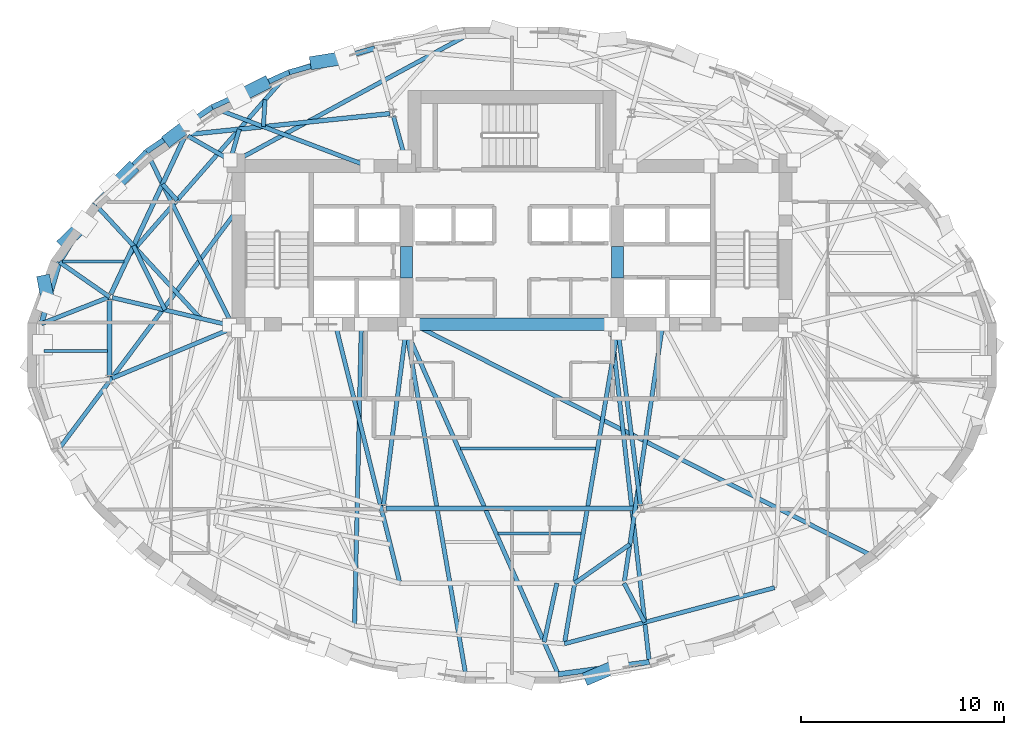
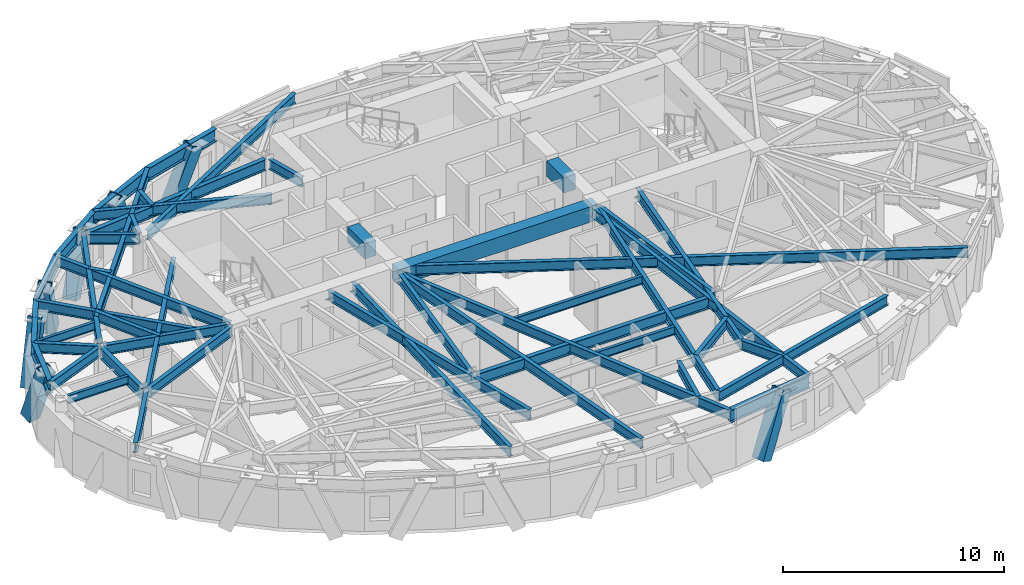
# One storey, part 2 of 12: 48 beams, 7 members.
"""IFC4 building model written with IfcOpenShell, lengths in metres."""

from ifc_helpers import new_model, si_unit, direction, frame, origin, origin_2d, place, context, subcontext, project, spatial, rectangle, hollow_rectangle, i_section, extrude, material, material_profile, profile_set, type_object, element, save


model = new_model("IFC4")

# Units and contexts
model_context = context("Model", 3, precision=1e-05, world=origin(), true_north=direction((0.0, 1.0)))
body_context = subcontext(model_context, "Body", "Model", "MODEL_VIEW")
ifc_project = project(units=[si_unit("LENGTHUNIT", "METRE"), si_unit("AREAUNIT", "SQUARE_METRE"), si_unit("VOLUMEUNIT", "CUBIC_METRE"), si_unit("PLANEANGLEUNIT", "RADIAN"), si_unit("MASSUNIT", "GRAM", prefix="KILO")], contexts=[model_context])

# Site, building, storey
site_placement = place(None, origin())
site = spatial("IfcSite", under=ifc_project, at=site_placement, CompositionType="ELEMENT")
building_placement = place(site_placement, origin())
building = spatial("IfcBuilding", under=site, at=building_placement, Name="Keldmark Tower", CompositionType="ELEMENT")
storey_placement = place(building_placement, frame((0.0, 0.0, 198.199951171875)))
storey = spatial("IfcBuildingStorey", under=building, at=storey_placement, Name="L55", CompositionType="ELEMENT", Elevation=198.199951171875)

# Beams
ifc_material_1 = material(Name="Steel ASTM A992 Grade 50", Category="steel")
ifc_material_profile_1 = material_profile(ifc_material_1, i_section(OverallWidth=0.153076171875, OverallDepth=0.455078125, WebThickness=0.008056640625, FlangeThickness=0.01318359375, at=origin_2d()), Name="W18X40")
ifc_profile_set_1 = profile_set([ifc_material_profile_1], Name="Steel ASTM A992 Grade 50")
beam_type_1 = type_object("IfcBeamType", Name="Composite Floor Joist W18X40", PredefinedType="JOIST", material=ifc_profile_set_1)
beam_1_placement = place(storey_placement, frame((-0.681396484375, -8.780029296875, 2.732666015625), z_axis=(1.0, 0.0, 0.0), x_axis=(0.0, 1.0, 0.0)))
element("IfcBeam", 1, at=beam_1_placement, inside=storey, type_object=beam_type_1, Name="L55 Composite Floor Joist J02", PredefinedType="JOIST", context=body_context, shape_type="SweptSolid", body=[
    extrude(i_section(OverallWidth=0.153076171875, OverallDepth=0.455078125, WebThickness=0.008056640625, FlangeThickness=0.01318359375, at=origin_2d()), origin(), (0.0, 0.0, 1.0), 4.09033203125),
])
beam_2_placement = place(storey_placement, frame((-2.52978515625, -4.60009765625, 2.732666015625), z_axis=(1.0, 0.0, 0.0), x_axis=(0.0, 1.0, 0.0)))
element("IfcBeam", 2, at=beam_2_placement, inside=storey, type_object=beam_type_1, Name="L55 Composite Floor Joist J05", PredefinedType="JOIST", context=body_context, shape_type="SweptSolid", body=[
    extrude(i_section(OverallWidth=0.153076171875, OverallDepth=0.455078125, WebThickness=0.008056640625, FlangeThickness=0.01318359375, at=origin_2d()), origin(), (0.0, 0.0, 1.0), 6.648193359375),
])
beam_3_placement = place(storey_placement, frame((-23.06884765625, 0.199951171875, 2.732666015625), z_axis=(1.0, 0.0, 0.0), x_axis=(0.0, 1.0, 0.0)))
element("IfcBeam", 3, at=beam_3_placement, inside=storey, type_object=beam_type_1, Name="L55 Composite Floor Joist J07", PredefinedType="JOIST", context=body_context, shape_type="SweptSolid", body=[
    extrude(i_section(OverallWidth=0.153076171875, OverallDepth=0.455078125, WebThickness=0.008056640625, FlangeThickness=0.01318359375, at=origin_2d()), origin(), (0.0, 0.0, 1.0), 3.135009765625),
])
beam_4_placement = place(storey_placement, frame((-22.135986328125, 4.6201171875, 2.732666015625), z_axis=(1.0, 0.0, 0.0), x_axis=(0.0, 1.0, 0.0)))
element("IfcBeam", 4, at=beam_4_placement, inside=storey, type_object=beam_type_1, Name="L55 Composite Floor Joist J09", PredefinedType="JOIST", context=body_context, shape_type="SweptSolid", body=[
    extrude(i_section(OverallWidth=0.153076171875, OverallDepth=0.455078125, WebThickness=0.008056640625, FlangeThickness=0.01318359375, at=origin_2d()), origin(), (0.0, 0.0, 1.0), 3.011474609375),
])
ifc_material_2 = material(Name="Concrete C50/60", Category="concrete")
ifc_material_profile_2 = material_profile(ifc_material_2, rectangle(XDim=0.60009765625, YDim=0.85009765625, at=origin_2d()), Name="RCB600X850")
ifc_profile_set_2 = profile_set([ifc_material_profile_2], Name="Concrete C50/60")
beam_type_2 = type_object("IfcBeamType", Name="Core Coupling Beam RCB600X850", PredefinedType="USERDEFINED", material=ifc_profile_set_2)
for number, where, z_axis, x_axis, name in (
    (5, (-5.199951171875, 3.800048828125, 2.53515625), (0.0, 1.0, 0.0), (-1.0, 0.0, 0.0), "L55 West Core Coupling Beam"),
    (6, (5.199951171875, 3.800048828125, 2.53515625), (0.0, 1.0, 0.0), (-1.0, 0.0, 0.0), "L55 East Core Coupling Beam"),
):
    element("IfcBeam", number, at=place(storey_placement, frame(where, z_axis=z_axis, x_axis=x_axis)), inside=storey, type_object=beam_type_2, Name=name, ObjectType="COUPLING BEAM", PredefinedType="USERDEFINED", context=body_context, shape_type="SweptSolid", body=[
        extrude(rectangle(XDim=0.60009765625, YDim=0.85009765625, at=origin_2d()), origin(), (0.0, 0.0, 1.0), 1.550048828125),
    ])
beam_5_placement = place(storey_placement, frame((-5.199951171875, 1.52490234375, 2.53515625), z_axis=(1.0, 0.0, 0.0), x_axis=(0.0, 1.0, 0.0)))
element("IfcBeam", 7, at=beam_5_placement, inside=storey, type_object=beam_type_2, Name="L55 Central South Core Coupling Beam", ObjectType="COUPLING BEAM", PredefinedType="USERDEFINED", context=body_context, shape_type="SweptSolid", body=[
    extrude(rectangle(XDim=0.60009765625, YDim=0.85009765625, at=origin_2d()), origin(), (0.0, 0.0, 1.0), 10.39990234375),
])

# Members
ifc_material_3 = material(Name="Steel ASTM A572 Grade 50", Category="steel")
ifc_material_profile_3 = material_profile(ifc_material_3, hollow_rectangle(XDim=0.64990234375, YDim=0.64990234375, WallThickness=0.0400390625, at=origin_2d()), Name="BOX650X650X40")
ifc_profile_set_3 = profile_set([ifc_material_profile_3], Name="Steel ASTM A572 Grade 50")
member_type = type_object("IfcMemberType", Name="Diagrid Zone 3 Brace BOX650X650X40", PredefinedType="BRACE", material=ifc_profile_set_3)
member_1_placement = place(storey_placement, frame((-9.650634765625, 14.426513671875, -0.260009765625), z_axis=(0.433973187731, 0.069746954051, 0.898221929554), x_axis=(-0.158680896845, 0.987329921038, 0.0)))
element("IfcMember", 8, at=member_1_placement, inside=storey, type_object=member_type, Name="L55 Perimeter Diagrid Brace 05B", PredefinedType="BRACE", context=body_context, shape_type="SweptSolid", body=[
    extrude(hollow_rectangle(XDim=0.64990234375, YDim=0.64990234375, WallThickness=0.0400390625, at=origin_2d()), origin(), (0.0, 0.0, 1.0), 3.451416015625),
])
member_2_placement = place(storey_placement, frame((-12.252197265625, 13.351806640625, -0.260009765625), z_axis=(-0.363876973738, -0.181938486869, 0.913505301013), x_axis=(0.4472135955, -0.894427191, 0.0)))
element("IfcMember", 9, at=member_2_placement, inside=storey, type_object=member_type, Name="L55 Perimeter Diagrid Brace 06A", PredefinedType="BRACE", context=body_context, shape_type="SweptSolid", body=[
    extrude(hollow_rectangle(XDim=0.64990234375, YDim=0.64990234375, WallThickness=0.0400390625, at=origin_2d()), origin(), (0.0, 0.0, 1.0), 3.3935546875),
])
member_3_placement = place(storey_placement, frame((-16.83837890625, 10.66796875, -0.260009765625), z_axis=(0.303816336253, 0.22939152905, 0.924702741548), x_axis=(-0.602567857834, 0.798067651709, 0.0)))
element("IfcMember", 10, at=member_3_placement, inside=storey, type_object=member_type, Name="L55 Perimeter Diagrid Brace 06B", PredefinedType="BRACE", context=body_context, shape_type="SweptSolid", body=[
    extrude(hollow_rectangle(XDim=0.64990234375, YDim=0.64990234375, WallThickness=0.0400390625, at=origin_2d()), origin(), (0.0, 0.0, 1.0), 3.3525390625),
])
member_4_placement = place(storey_placement, frame((-18.814208984375, 9.118408203125, -0.260009765625), z_axis=(-0.253466868782, -0.255817865826, 0.932905014433), x_axis=(0.710363409805, -0.703835084384, 0.0)))
element("IfcMember", 11, at=member_4_placement, inside=storey, type_object=member_type, Name="L55 Perimeter Diagrid Brace 07A", PredefinedType="BRACE", context=body_context, shape_type="SweptSolid", body=[
    extrude(hollow_rectangle(XDim=0.64990234375, YDim=0.64990234375, WallThickness=0.0400390625, at=origin_2d()), origin(), (0.0, 0.0, 1.0), 3.322998046875),
])
member_5_placement = place(storey_placement, frame((-21.99169921875, 5.5859375, -0.260009765625), z_axis=(0.27261124795, 0.262698111661, 0.925566210285), x_axis=(-0.693893241041, 0.720077891646, 0.0)))
element("IfcMember", 12, at=member_5_placement, inside=storey, type_object=member_type, Name="L55 Perimeter Diagrid Brace 07B", PredefinedType="BRACE", context=body_context, shape_type="SweptSolid", body=[
    extrude(hollow_rectangle(XDim=0.64990234375, YDim=0.64990234375, WallThickness=0.0400390625, at=origin_2d()), origin(), (0.0, 0.0, 1.0), 3.349365234375),
])
member_6_placement = place(storey_placement, frame((-23.047607421875, 3.629638671875, -0.260009765625), z_axis=(0.065046149954, -0.329829223315, 0.941797049169), x_axis=(0.981103244561, 0.19348494389, 0.0)))
element("IfcMember", 13, at=member_6_placement, inside=storey, type_object=member_type, Name="L55 Perimeter Diagrid Brace 08A", PredefinedType="BRACE", context=body_context, shape_type="SweptSolid", body=[
    extrude(hollow_rectangle(XDim=0.64990234375, YDim=0.64990234375, WallThickness=0.0400390625, at=origin_2d()), origin(), (0.0, 0.0, 1.0), 3.291748046875),
])
member_7_placement = place(storey_placement, frame((3.85888671875, -15.862060546875, -0.260009765625), z_axis=(0.406640557297, 0.173759904629, 0.896911897961), x_axis=(-0.392935907268, 0.919565861034, 0.0)))
element("IfcMember", 14, at=member_7_placement, inside=storey, type_object=member_type, Name="L55 Perimeter Diagrid Brace 13A", PredefinedType="BRACE", context=body_context, shape_type="SweptSolid", body=[
    extrude(hollow_rectangle(XDim=0.64990234375, YDim=0.64990234375, WallThickness=0.0400390625, at=origin_2d()), origin(), (0.0, 0.0, 1.0), 3.456298828125),
])

# Beams
ifc_material_4 = material(Name="Steel ASTM A992 Grade 50", Category="steel")
ifc_material_profile_4 = material_profile(ifc_material_4, i_section(OverallWidth=0.22900390625, OverallDepth=0.612060546875, WebThickness=0.011962890625, FlangeThickness=0.01953125, at=origin_2d()), Name="W24X84")
ifc_profile_set_4 = profile_set([ifc_material_profile_4], Name="Steel ASTM A992 Grade 50")
beam_type_3 = type_object("IfcBeamType", Name="Primary Floor Girder W24X84", PredefinedType="BEAM", material=ifc_profile_set_4)
beam_6_placement = place(storey_placement, frame((-6.01953125, 11.90087890625, 2.654052734375), z_axis=(-0.994702930931, -0.102791435423, 0.0), x_axis=(0.102791435423, -0.994702930931, 0.0)))
element("IfcBeam", 15, at=beam_6_placement, inside=storey, type_object=beam_type_3, Name="L55 Floor Ring Girder FG-R04", PredefinedType="BEAM", context=body_context, shape_type="SweptSolid", body=[
    extrude(i_section(OverallWidth=0.22900390625, OverallDepth=0.612060546875, WebThickness=0.011962890625, FlangeThickness=0.01953125, at=origin_2d()), origin(), (0.0, 0.0, 1.0), 9.975341796875),
])
beam_7_placement = place(storey_placement, frame((-16.140869140625, 10.734130859375, 2.654052734375), z_axis=(-0.424526823774, -0.905415360979, 0.0), x_axis=(0.905415360979, -0.424526823774, 0.0)))
element("IfcBeam", 16, at=beam_7_placement, inside=storey, type_object=beam_type_3, Name="L55 Floor Ring Girder FG-R05", PredefinedType="BEAM", context=body_context, shape_type="SweptSolid", body=[
    extrude(i_section(OverallWidth=0.22900390625, OverallDepth=0.612060546875, WebThickness=0.011962890625, FlangeThickness=0.01953125, at=origin_2d()), origin(), (0.0, 0.0, 1.0), 8.54638671875),
])
beam_8_placement = place(storey_placement, frame((-19.828369140625, 2.729248046875, 2.654052734375), z_axis=(0.0, -1.0, 0.0), x_axis=(1.0, 0.0, 0.0)))
element("IfcBeam", 17, at=beam_8_placement, inside=storey, type_object=beam_type_3, Name="L55 Floor Ring Girder FG-R06", PredefinedType="BEAM", context=body_context, shape_type="SweptSolid", body=[
    extrude(i_section(OverallWidth=0.22900390625, OverallDepth=0.612060546875, WebThickness=0.011962890625, FlangeThickness=0.01953125, at=origin_2d()), origin(), (0.0, 0.0, 1.0), 3.778564453125),
])
beam_9_placement = place(storey_placement, frame((-6.211181640625, -7.546142578125, 2.654052734375), z_axis=(1.0, 0.0, 0.0), x_axis=(0.0, 1.0, 0.0)))
element("IfcBeam", 18, at=beam_9_placement, inside=storey, type_object=beam_type_3, Name="L55 Floor Ring Girder FG-R09", PredefinedType="BEAM", context=body_context, shape_type="SweptSolid", body=[
    extrude(i_section(OverallWidth=0.22900390625, OverallDepth=0.612060546875, WebThickness=0.011962890625, FlangeThickness=0.01953125, at=origin_2d()), origin(), (0.0, 0.0, 1.0), 12.42236328125),
])
ifc_material_5 = material(Name="Steel ASTM A992 Grade 50", Category="steel")
ifc_material_profile_5 = material_profile(ifc_material_5, i_section(OverallWidth=0.2099609375, OverallDepth=0.537109375, WebThickness=0.010986328125, FlangeThickness=0.017333984375, at=origin_2d()), Name="W21X68")
ifc_profile_set_5 = profile_set([ifc_material_profile_5], Name="Steel ASTM A992 Grade 50")
beam_type_4 = type_object("IfcBeamType", Name="Radial Tie Girder W21X68", PredefinedType="BEAM", material=ifc_profile_set_5)
beam_10_placement = place(storey_placement, frame((-5.843017578125, 11.7802734375, 2.691650390625), z_axis=(0.265992411, -0.963975122755, 0.0), x_axis=(0.963975122755, 0.265992411, 0.0)))
element("IfcBeam", 19, at=beam_10_placement, inside=storey, type_object=beam_type_4, Name="L55 Floor Radial Girder FG-C04", PredefinedType="BEAM", context=body_context, shape_type="SweptSolid", body=[
    extrude(i_section(OverallWidth=0.2099609375, OverallDepth=0.537109375, WebThickness=0.010986328125, FlangeThickness=0.017333984375, at=origin_2d()), origin(), (0.0, 0.0, 1.0), 2.09716796875),
])
beam_11_placement = place(storey_placement, frame((-15.959716796875, 10.791748046875, 2.691650390625), z_axis=(0.86929527307, -0.494293160197, 0.0), x_axis=(0.494293160197, 0.86929527307, 0.0)))
element("IfcBeam", 20, at=beam_11_placement, inside=storey, type_object=beam_type_4, Name="L55 Floor Radial Girder FG-C05", PredefinedType="BEAM", context=body_context, shape_type="SweptSolid", body=[
    extrude(i_section(OverallWidth=0.2099609375, OverallDepth=0.537109375, WebThickness=0.010986328125, FlangeThickness=0.017333984375, at=origin_2d()), origin(), (0.0, 0.0, 1.0), 2.39453125),
])
beam_12_placement = place(storey_placement, frame((-19.692138671875, 2.837158203125, 2.691650390625), z_axis=(0.973280062348, -0.229621253887, 0.0), x_axis=(0.229621253887, 0.973280062348, 0.0)))
element("IfcBeam", 21, at=beam_12_placement, inside=storey, type_object=beam_type_4, Name="L55 Floor Radial Girder FG-C06", PredefinedType="BEAM", context=body_context, shape_type="SweptSolid", body=[
    extrude(i_section(OverallWidth=0.2099609375, OverallDepth=0.537109375, WebThickness=0.010986328125, FlangeThickness=0.017333984375, at=origin_2d()), origin(), (0.0, 0.0, 1.0), 5.939208984375),
])
beam_13_placement = place(storey_placement, frame((-19.69921875, -1.135498046875, 2.691650390625), z_axis=(0.923393794893, 0.383854008124, 0.0), x_axis=(-0.383854008124, 0.923393794893, 0.0)))
element("IfcBeam", 22, at=beam_13_placement, inside=storey, type_object=beam_type_4, Name="L55 Floor Radial Girder FG-C07", PredefinedType="BEAM", context=body_context, shape_type="SweptSolid", body=[
    extrude(i_section(OverallWidth=0.2099609375, OverallDepth=0.537109375, WebThickness=0.010986328125, FlangeThickness=0.017333984375, at=origin_2d()), origin(), (0.0, 0.0, 1.0), 6.28515625),
])
for number, where, z_axis, x_axis, name in (
    (23, (-6.333251953125, -7.4072265625, 2.691650390625), (0.127635577416, 0.991821132754, 0.0), (-0.991821132754, 0.127635577416, 0.0), "L55 Floor Radial Girder FG-C09"),
    (24, (6.333251953125, -7.4072265625, 2.691650390625), (-0.127635577416, 0.991821132754, 0.0), (-0.991821132754, -0.127635577416, 0.0), "L55 Floor Radial Girder FG-C10"),
):
    element("IfcBeam", number, at=place(storey_placement, frame(where, z_axis=z_axis, x_axis=x_axis)), inside=storey, type_object=beam_type_4, Name=name, PredefinedType="BEAM", context=body_context, shape_type="SweptSolid", body=[
        extrude(i_section(OverallWidth=0.2099609375, OverallDepth=0.537109375, WebThickness=0.010986328125, FlangeThickness=0.017333984375, at=origin_2d()), origin(), (0.0, 0.0, 1.0), 8.559814453125),
    ])
beam_14_placement = place(storey_placement, frame((-8.699951171875, 1.52490234375, 2.691650390625), z_axis=(0.24159651777, -0.970376794138, 0.0), x_axis=(0.970376794138, 0.24159651777, 0.0)))
element("IfcBeam", 25, at=beam_14_placement, inside=storey, type_object=beam_type_4, Name="L55 Sub-Ring Step Girder STP1-M09", PredefinedType="BEAM", context=body_context, shape_type="SweptSolid", body=[
    extrude(i_section(OverallWidth=0.2099609375, OverallDepth=0.537109375, WebThickness=0.010986328125, FlangeThickness=0.017333984375, at=origin_2d()), origin(), (0.0, 0.0, 1.0), 13.153076171875),
])
beam_15_placement = place(storey_placement, frame((7.425048828125, 1.52490234375, 2.691650390625), z_axis=(-0.14745503768, -0.989068759927, 0.0), x_axis=(0.989068759927, -0.14745503768, 0.0)))
element("IfcBeam", 26, at=beam_15_placement, inside=storey, type_object=beam_type_4, Name="L55 Sub-Ring Step Girder STP1-M10", PredefinedType="BEAM", context=body_context, shape_type="SweptSolid", body=[
    extrude(i_section(OverallWidth=0.2099609375, OverallDepth=0.537109375, WebThickness=0.010986328125, FlangeThickness=0.017333984375, at=origin_2d()), origin(), (0.0, 0.0, 1.0), 12.904541015625),
])
beam_16_placement = place(storey_placement, frame((-7.425048828125, 1.52490234375, 2.691650390625), z_axis=(-0.022521027794, -0.999746369489, 0.0), x_axis=(0.999746369489, -0.022521027794, 0.0)))
element("IfcBeam", 27, at=beam_16_placement, inside=storey, type_object=beam_type_4, Name="L55 Sub-Ring Step Girder STP2-M09", PredefinedType="BEAM", context=body_context, shape_type="SweptSolid", body=[
    extrude(i_section(OverallWidth=0.2099609375, OverallDepth=0.537109375, WebThickness=0.010986328125, FlangeThickness=0.017333984375, at=origin_2d()), origin(), (0.0, 0.0, 1.0), 14.8623046875),
])
beam_17_placement = place(storey_placement, frame((5.8076171875, -9.32421875, 2.691650390625), z_axis=(-0.81762462652, -0.575751656627, 0.0), x_axis=(0.575751656627, -0.81762462652, 0.0)))
element("IfcBeam", 28, at=beam_17_placement, inside=storey, type_object=beam_type_4, Name="L55 Framing Pin Header PH-007", PredefinedType="BEAM", context=body_context, shape_type="SweptSolid", body=[
    extrude(i_section(OverallWidth=0.2099609375, OverallDepth=0.537109375, WebThickness=0.010986328125, FlangeThickness=0.017333984375, at=origin_2d()), origin(), (0.0, 0.0, 1.0), 3.324951171875),
])
beam_18_placement = place(storey_placement, frame((5.199951171875, 1.199951171875, 2.691650390625), z_axis=(-0.167314222464, -0.985903621538, 0.0), x_axis=(0.985903621538, -0.167314222464, 0.0)))
element("IfcBeam", 29, at=beam_18_placement, inside=storey, type_object=beam_type_4, Name="L55 Sub-Ring Step Girder STP2-M10", PredefinedType="BEAM", context=body_context, shape_type="SweptSolid", body=[
    extrude(i_section(OverallWidth=0.2099609375, OverallDepth=0.537109375, WebThickness=0.010986328125, FlangeThickness=0.017333984375, at=origin_2d()), origin(), (0.0, 0.0, 1.0), 15.640869140625),
])
beam_19_placement = place(storey_placement, frame((2.5830078125, -14.220458984375, 2.691650390625), z_axis=(0.966193705448, 0.257817228968, 0.0), x_axis=(-0.257817228968, 0.966193705448, 0.0)))
element("IfcBeam", 30, at=beam_19_placement, inside=storey, type_object=beam_type_4, Name="L55 Perimeter Collector Ring Beam CRG2-M10", PredefinedType="BEAM", context=body_context, shape_type="SweptSolid", body=[
    extrude(i_section(OverallWidth=0.2099609375, OverallDepth=0.537109375, WebThickness=0.010986328125, FlangeThickness=0.017333984375, at=origin_2d()), origin(), (0.0, 0.0, 1.0), 10.71484375),
])
beam_20_placement = place(storey_placement, frame((-13.878173828125, 9.608154296875, 2.691650390625), z_axis=(0.27974646808, 0.960073910486, 0.0), x_axis=(-0.960073910486, 0.27974646808, 0.0)))
element("IfcBeam", 31, at=beam_20_placement, inside=storey, type_object=beam_type_4, Name="L55 Framing Pin Header PH-014", PredefinedType="BEAM", context=body_context, shape_type="SweptSolid", body=[
    extrude(i_section(OverallWidth=0.2099609375, OverallDepth=0.537109375, WebThickness=0.010986328125, FlangeThickness=0.017333984375, at=origin_2d()), origin(), (0.0, 0.0, 1.0), 1.590087890625),
])
beam_21_placement = place(storey_placement, frame((-18.862060546875, 4.9306640625, 2.691650390625), z_axis=(0.658526277824, 0.752557732945, 0.0), x_axis=(-0.752557732945, 0.658526277824, 0.0)))
element("IfcBeam", 32, at=beam_21_placement, inside=storey, type_object=beam_type_4, Name="L55 Perimeter Radial Tie Girder RT-11", PredefinedType="BEAM", context=body_context, shape_type="SweptSolid", body=[
    extrude(i_section(OverallWidth=0.2099609375, OverallDepth=0.537109375, WebThickness=0.010986328125, FlangeThickness=0.017333984375, at=origin_2d()), origin(), (0.0, 0.0, 1.0), 11.964111328125),
])
beam_22_placement = place(storey_placement, frame((-12.165283203125, 12.583740234375, 2.691650390625), z_axis=(-0.064081451772, -0.997944671582, 0.0), x_axis=(0.997944671582, -0.064081451772, 0.0)))
element("IfcBeam", 33, at=beam_22_placement, inside=storey, type_object=beam_type_4, Name="L55 Framing Pin Header PH-015", PredefinedType="BEAM", context=body_context, shape_type="SweptSolid", body=[
    extrude(i_section(OverallWidth=0.2099609375, OverallDepth=0.537109375, WebThickness=0.010986328125, FlangeThickness=0.017333984375, at=origin_2d()), origin(), (0.0, 0.0, 1.0), 1.32958984375),
])
beam_23_placement = place(storey_placement, frame((-7.139404296875, 9.324951171875, 2.691650390625), z_axis=(-0.935404897609, 0.353578389512, 0.0), x_axis=(-0.353578389512, -0.935404897609, 0.0)))
element("IfcBeam", 34, at=beam_23_placement, inside=storey, type_object=beam_type_4, Name="L55 Perimeter Radial Tie Girder RT-12", PredefinedType="BEAM", context=body_context, shape_type="SweptSolid", body=[
    extrude(i_section(OverallWidth=0.2099609375, OverallDepth=0.537109375, WebThickness=0.010986328125, FlangeThickness=0.017333984375, at=origin_2d()), origin(), (0.0, 0.0, 1.0), 8.169921875),
])
beam_24_placement = place(storey_placement, frame((-16.498291015625, 7.631591796875, 2.691650390625), z_axis=(-0.671453299328, 0.741046872216, 0.0), x_axis=(-0.741046872216, -0.671453299328, 0.0)))
element("IfcBeam", 35, at=beam_24_placement, inside=storey, type_object=beam_type_4, Name="L55 Framing Pin Header PH-016", PredefinedType="BEAM", context=body_context, shape_type="SweptSolid", body=[
    extrude(i_section(OverallWidth=0.2099609375, OverallDepth=0.537109375, WebThickness=0.010986328125, FlangeThickness=0.017333984375, at=origin_2d()), origin(), (0.0, 0.0, 1.0), 1.076904296875),
])
beam_25_placement = place(storey_placement, frame((-13.800048828125, 1.52490234375, 2.691650390625), z_axis=(-0.443977627174, 0.896037871169, 0.0), x_axis=(-0.896037871169, -0.443977627174, 0.0)))
element("IfcBeam", 36, at=beam_25_placement, inside=storey, type_object=beam_type_4, Name="L55 Perimeter Radial Tie Girder RT-13", PredefinedType="BEAM", context=body_context, shape_type="SweptSolid", body=[
    extrude(i_section(OverallWidth=0.2099609375, OverallDepth=0.537109375, WebThickness=0.010986328125, FlangeThickness=0.017333984375, at=origin_2d()), origin(), (0.0, 0.0, 1.0), 9.484619140625),
])
beam_26_placement = place(storey_placement, frame((-17.0908203125, 2.223388671875, 2.691650390625), z_axis=(-0.441831522293, 0.897098046987, 0.0), x_axis=(-0.897098046987, -0.441831522293, 0.0)))
element("IfcBeam", 37, at=beam_26_placement, inside=storey, type_object=beam_type_4, Name="L55 Framing Pin Header PH-017", PredefinedType="BEAM", context=body_context, shape_type="SweptSolid", body=[
    extrude(i_section(OverallWidth=0.2099609375, OverallDepth=0.537109375, WebThickness=0.010986328125, FlangeThickness=0.017333984375, at=origin_2d()), origin(), (0.0, 0.0, 1.0), 3.525390625),
])
beam_27_placement = place(storey_placement, frame((-15.356689453125, 1.814453125, 2.691650390625), z_axis=(-0.677712100327, 0.735327348241, 0.0), x_axis=(-0.735327348241, -0.677712100327, 0.0)))
element("IfcBeam", 38, at=beam_27_placement, inside=storey, type_object=beam_type_4, Name="L55 Perimeter Radial Tie Girder RT-14", PredefinedType="BEAM", context=body_context, shape_type="SweptSolid", body=[
    extrude(i_section(OverallWidth=0.2099609375, OverallDepth=0.537109375, WebThickness=0.010986328125, FlangeThickness=0.017333984375, at=origin_2d()), origin(), (0.0, 0.0, 1.0), 7.661376953125),
])
beam_28_placement = place(storey_placement, frame((-19.828369140625, 2.869140625, 2.691650390625), z_axis=(-0.82086879222, 0.57111682339, 0.0), x_axis=(-0.57111682339, -0.82086879222, 0.0)))
element("IfcBeam", 39, at=beam_28_placement, inside=storey, type_object=beam_type_4, Name="L55 Perimeter Column Bracket RT-15", PredefinedType="BEAM", context=body_context, shape_type="SweptSolid", body=[
    extrude(i_section(OverallWidth=0.2099609375, OverallDepth=0.537109375, WebThickness=0.010986328125, FlangeThickness=0.017333984375, at=origin_2d()), origin(), (0.0, 0.0, 1.0), 3.0068359375),
])
beam_29_placement = place(storey_placement, frame((-19.828369140625, 2.869140625, 2.691650390625), z_axis=(-0.930675840423, -0.365844885236, 0.0), x_axis=(0.365844885236, -0.930675840423, 0.0)))
element("IfcBeam", 40, at=beam_29_placement, inside=storey, type_object=beam_type_4, Name="L55 Perimeter Column Bracket RT-16", PredefinedType="BEAM", context=body_context, shape_type="SweptSolid", body=[
    extrude(i_section(OverallWidth=0.2099609375, OverallDepth=0.537109375, WebThickness=0.010986328125, FlangeThickness=0.017333984375, at=origin_2d()), origin(), (0.0, 0.0, 1.0), 3.609619140625),
])
beam_30_placement = place(storey_placement, frame((-13.47509765625, 7.235595703125, 2.691650390625), z_axis=(-0.598046490454, -0.801461412206, 0.0), x_axis=(0.801461412206, -0.598046490454, 0.0)))
element("IfcBeam", 41, at=beam_30_placement, inside=storey, type_object=beam_type_4, Name="L55 Perimeter Radial Tie Girder RT-18", PredefinedType="BEAM", context=body_context, shape_type="SweptSolid", body=[
    extrude(i_section(OverallWidth=0.2099609375, OverallDepth=0.537109375, WebThickness=0.010986328125, FlangeThickness=0.017333984375, at=origin_2d()), origin(), (0.0, 0.0, 1.0), 14.75048828125),
])
beam_31_placement = place(storey_placement, frame((-5.199951171875, 1.199951171875, 2.691650390625), z_axis=(0.169814082779, -0.985476117057, 0.0), x_axis=(0.985476117057, 0.169814082779, 0.0)))
element("IfcBeam", 42, at=beam_31_placement, inside=storey, type_object=beam_type_4, Name="L55 Perimeter Radial Tie Girder RT-24", PredefinedType="BEAM", context=body_context, shape_type="SweptSolid", body=[
    extrude(i_section(OverallWidth=0.2099609375, OverallDepth=0.537109375, WebThickness=0.010986328125, FlangeThickness=0.017333984375, at=origin_2d()), origin(), (0.0, 0.0, 1.0), 17.17333984375),
])
beam_32_placement = place(storey_placement, frame((2.208984375, -11.238525390625, 2.691650390625), z_axis=(-0.211902863335, -0.977290732848, 0.0), x_axis=(0.977290732848, -0.211902863335, 0.0)))
element("IfcBeam", 43, at=beam_32_placement, inside=storey, type_object=beam_type_4, Name="L55 Framing Pin Header PH-023", PredefinedType="BEAM", context=body_context, shape_type="SweptSolid", body=[
    extrude(i_section(OverallWidth=0.2099609375, OverallDepth=0.537109375, WebThickness=0.010986328125, FlangeThickness=0.017333984375, at=origin_2d()), origin(), (0.0, 0.0, 1.0), 2.96337890625),
])
beam_33_placement = place(storey_placement, frame((-5.199951171875, 1.199951171875, 2.691650390625), z_axis=(0.404420281792, -0.914573253313, 0.0), x_axis=(0.914573253313, 0.404420281792, 0.0)))
element("IfcBeam", 44, at=beam_33_placement, inside=storey, type_object=beam_type_4, Name="L55 Perimeter Radial Tie Girder RT-25", PredefinedType="BEAM", context=body_context, shape_type="SweptSolid", body=[
    extrude(i_section(OverallWidth=0.2099609375, OverallDepth=0.537109375, WebThickness=0.010986328125, FlangeThickness=0.017333984375, at=origin_2d()), origin(), (0.0, 0.0, 1.0), 18.504638671875),
])
beam_34_placement = place(storey_placement, frame((5.522216796875, -11.238525390625, 2.691650390625), z_axis=(0.467934055278, -0.883763384573, 0.0), x_axis=(0.883763384573, 0.467934055278, 0.0)))
element("IfcBeam", 45, at=beam_34_placement, inside=storey, type_object=beam_type_4, Name="L55 Framing Pin Header PH-024", PredefinedType="BEAM", context=body_context, shape_type="SweptSolid", body=[
    extrude(i_section(OverallWidth=0.2099609375, OverallDepth=0.537109375, WebThickness=0.010986328125, FlangeThickness=0.017333984375, at=origin_2d()), origin(), (0.0, 0.0, 1.0), 2.1787109375),
])
beam_35_placement = place(storey_placement, frame((4.875, 1.52490234375, 2.691650390625), z_axis=(0.112747487913, -0.993623673213, 0.0), x_axis=(0.993623673213, 0.112747487913, 0.0)))
element("IfcBeam", 46, at=beam_35_placement, inside=storey, type_object=beam_type_4, Name="L55 Perimeter Radial Tie Girder RT-26", PredefinedType="BEAM", context=body_context, shape_type="SweptSolid", body=[
    extrude(i_section(OverallWidth=0.2099609375, OverallDepth=0.537109375, WebThickness=0.010986328125, FlangeThickness=0.017333984375, at=origin_2d()), origin(), (0.0, 0.0, 1.0), 16.75146484375),
])
beam_36_placement = place(storey_placement, frame((-4.875, 1.52490234375, 2.691650390625), z_axis=(0.892777328412, -0.450498215173, 0.0), x_axis=(0.450498215173, 0.892777328412, 0.0)))
element("IfcBeam", 47, at=beam_36_placement, inside=storey, type_object=beam_type_4, Name="L55 Perimeter Radial Tie Girder RT-29", PredefinedType="BEAM", context=body_context, shape_type="SweptSolid", body=[
    extrude(i_section(OverallWidth=0.2099609375, OverallDepth=0.537109375, WebThickness=0.010986328125, FlangeThickness=0.017333984375, at=origin_2d()), origin(), (0.0, 0.0, 1.0), 25.634521484375),
])
beam_37_placement = place(storey_placement, frame((-13.47509765625, 9.64990234375, 2.691650390625), z_axis=(0.87889821758, 0.477009353298, 0.0), x_axis=(-0.477009353298, 0.87889821758, 0.0)))
element("IfcBeam", 48, at=beam_37_placement, inside=storey, type_object=beam_type_4, Name="L55 Perimeter Radial Tie Girder RT-09R", PredefinedType="BEAM", context=body_context, shape_type="SweptSolid", body=[
    extrude(i_section(OverallWidth=0.2099609375, OverallDepth=0.537109375, WebThickness=0.010986328125, FlangeThickness=0.017333984375, at=origin_2d()), origin(), (0.0, 0.0, 1.0), 12.7333984375),
])
ifc_material_6 = material(Name="Steel ASTM A992 Grade 50", Category="steel")
ifc_material_profile_6 = material_profile(ifc_material_6, i_section(OverallWidth=0.256103515625, OverallDepth=0.693115234375, WebThickness=0.014404296875, FlangeThickness=0.023681640625, at=origin_2d()), Name="W27X114")
ifc_profile_set_6 = profile_set([ifc_material_profile_6], Name="Steel ASTM A992 Grade 50")
beam_type_5 = type_object("IfcBeamType", Name="Spandrel Ring Beam W27X114", PredefinedType="SPANDREL", material=ifc_profile_set_6)
beam_38_placement = place(storey_placement, frame((-6.763671875, 15.11962890625, 2.613525390625), z_axis=(-0.962739808547, -0.270429401209, 0.0), x_axis=(0.270429401209, -0.962739808547, 0.0)))
element("IfcBeam", 49, at=beam_38_placement, inside=storey, type_object=beam_type_5, Name="L55 Perimeter Spandrel Ring Beam SRB-10", PredefinedType="SPANDREL", context=body_context, shape_type="SweptSolid", body=[
    extrude(i_section(OverallWidth=0.256103515625, OverallDepth=0.693115234375, WebThickness=0.014404296875, FlangeThickness=0.023681640625, at=origin_2d()), origin(), (0.0, 0.0, 1.0), 4.383056640625),
])
beam_39_placement = place(storey_placement, frame((-10.9833984375, 13.934326171875, 2.613525390625), z_axis=(-0.910881102331, -0.412668895624, 0.0), x_axis=(0.412668895624, -0.910881102331, 0.0)))
element("IfcBeam", 50, at=beam_39_placement, inside=storey, type_object=beam_type_5, Name="L55 Perimeter Spandrel Ring Beam SRB-11", PredefinedType="SPANDREL", context=body_context, shape_type="SweptSolid", body=[
    extrude(i_section(OverallWidth=0.256103515625, OverallDepth=0.693115234375, WebThickness=0.014404296875, FlangeThickness=0.023681640625, at=origin_2d()), origin(), (0.0, 0.0, 1.0), 4.169677734375),
])
beam_40_placement = place(storey_placement, frame((-14.781494140625, 12.213623046875, 2.613525390625), z_axis=(-0.827625248145, -0.5612810781, 0.0), x_axis=(0.5612810781, -0.827625248145, 0.0)))
element("IfcBeam", 51, at=beam_40_placement, inside=storey, type_object=beam_type_5, Name="L55 Perimeter Spandrel Ring Beam SRB-12", PredefinedType="SPANDREL", context=body_context, shape_type="SweptSolid", body=[
    extrude(i_section(OverallWidth=0.256103515625, OverallDepth=0.693115234375, WebThickness=0.014404296875, FlangeThickness=0.023681640625, at=origin_2d()), origin(), (0.0, 0.0, 1.0), 3.902099609375),
])
beam_41_placement = place(storey_placement, frame((-18.010986328125, 10.0234375, 2.613525390625), z_axis=(-0.701888492814, -0.712286840855, 0.0), x_axis=(0.712286840855, -0.701888492814, 0.0)))
element("IfcBeam", 52, at=beam_41_placement, inside=storey, type_object=beam_type_5, Name="L55 Perimeter Spandrel Ring Beam SRB-13", PredefinedType="SPANDREL", context=body_context, shape_type="SweptSolid", body=[
    extrude(i_section(OverallWidth=0.256103515625, OverallDepth=0.693115234375, WebThickness=0.014404296875, FlangeThickness=0.023681640625, at=origin_2d()), origin(), (0.0, 0.0, 1.0), 3.61572265625),
])
beam_42_placement = place(storey_placement, frame((-20.548828125, 7.447998046875, 2.613525390625), z_axis=(-0.521246781142, -0.853405995497, 0.0), x_axis=(0.853405995497, -0.521246781142, 0.0)))
element("IfcBeam", 53, at=beam_42_placement, inside=storey, type_object=beam_type_5, Name="L55 Perimeter Spandrel Ring Beam SRB-14", PredefinedType="SPANDREL", context=body_context, shape_type="SweptSolid", body=[
    extrude(i_section(OverallWidth=0.256103515625, OverallDepth=0.693115234375, WebThickness=0.014404296875, FlangeThickness=0.023681640625, at=origin_2d()), origin(), (0.0, 0.0, 1.0), 3.35302734375),
])
beam_43_placement = place(storey_placement, frame((-22.296630859375, 4.58642578125, 2.613525390625), z_axis=(-0.281477355005, -0.959567870773, 0.0), x_axis=(0.959567870773, -0.281477355005, 0.0)))
element("IfcBeam", 54, at=beam_43_placement, inside=storey, type_object=beam_type_5, Name="L55 Perimeter Spandrel Ring Beam SRB-15", PredefinedType="SPANDREL", context=body_context, shape_type="SweptSolid", body=[
    extrude(i_section(OverallWidth=0.256103515625, OverallDepth=0.693115234375, WebThickness=0.014404296875, FlangeThickness=0.023681640625, at=origin_2d()), origin(), (0.0, 0.0, 1.0), 3.165771484375),
])
beam_44_placement = place(storey_placement, frame((2.28369140625, -15.723876953125, 2.613525390625), z_axis=(0.991026298245, 0.133667034777, 0.0), x_axis=(-0.133667034777, 0.991026298245, 0.0)))
element("IfcBeam", 55, at=beam_44_placement, inside=storey, type_object=beam_type_5, Name="L55 Perimeter Spandrel Ring Beam SRB-25", PredefinedType="SPANDREL", context=body_context, shape_type="SweptSolid", body=[
    extrude(i_section(OverallWidth=0.256103515625, OverallDepth=0.693115234375, WebThickness=0.014404296875, FlangeThickness=0.023681640625, at=origin_2d()), origin(), (0.0, 0.0, 1.0), 4.5205078125),
])

save(model, "model.ifc")
